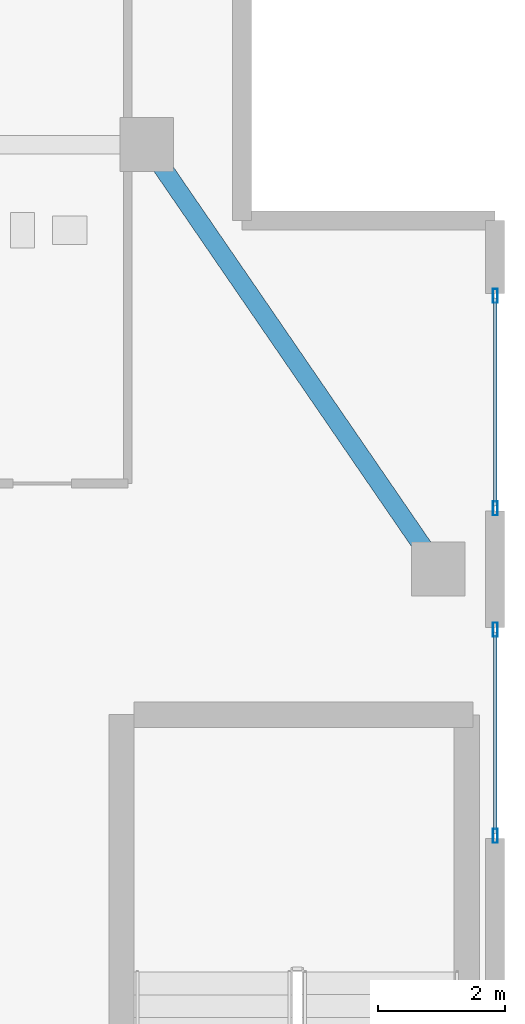
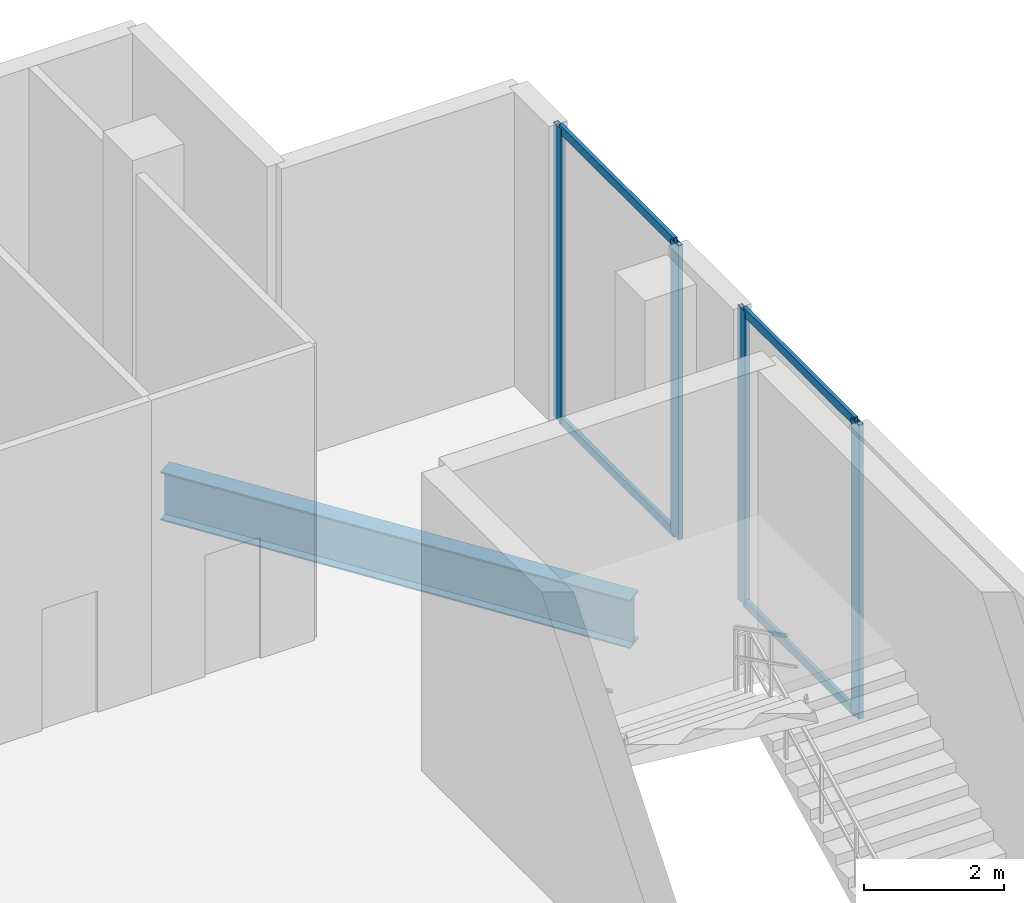
# One storey, part 21 of 30: 8 members, 1 beam, 2 elements without a shape of their own.
"""IFC4 building model written with IfcOpenShell, lengths in metres."""

from ifc_helpers import new_model, si_unit, direction, frame, origin, origin_2d, place, context, subcontext, project, spatial, hollow_rectangle, i_section, extrude, material, layer, layer_set, material_profile, profile_set, type_object, element, aggregate, save


model = new_model("IFC4")

# Units and contexts
model_context = context("Model", 3, precision=1e-05, world=origin(), true_north=direction((0.0, 1.0)))
body_context = subcontext(model_context, "Body", "Model", "MODEL_VIEW")
ifc_project = project(units=[si_unit("LENGTHUNIT", "METRE"), si_unit("AREAUNIT", "SQUARE_METRE"), si_unit("VOLUMEUNIT", "CUBIC_METRE"), si_unit("PLANEANGLEUNIT", "RADIAN"), si_unit("MASSUNIT", "GRAM", prefix="KILO")], contexts=[model_context])

# Site, building, storey
site_placement = place(None, origin())
site = spatial("IfcSite", under=ifc_project, at=site_placement, CompositionType="ELEMENT")
building_placement = place(site_placement, origin())
building = spatial("IfcBuilding", under=site, at=building_placement, Name="Zuhayl Quay Hotel", CompositionType="ELEMENT")
storey_placement = place(building_placement, frame((0.0, 0.0, 6.0)))
storey = spatial("IfcBuildingStorey", under=building, at=storey_placement, Name="L01", CompositionType="ELEMENT", Elevation=6.0)

# Beam
ifc_material_1 = material(Name="Steel ASTM A992 Grade 50", Category="steel")
ifc_material_profile_1 = material_profile(ifc_material_1, i_section(OverallWidth=0.2919921875, OverallDepth=0.845947265625, WebThickness=0.015380859375, FlangeThickness=0.0244140625, at=origin_2d()), Name="W33X141")
ifc_profile_set_1 = profile_set([ifc_material_profile_1], Name="Steel ASTM A992 Grade 50")
beam_type = type_object("IfcBeamType", Name="BM_PG3_W33X141", PredefinedType="BEAM", material=ifc_profile_set_1)
beam_placement = place(storey_placement, frame((34.90771484375, 15.7802734375, -0.673095703125), z_axis=(-0.566026455068, 0.824387076659, 0.0), x_axis=(-0.824387076659, -0.566026455068, 0.0)))
element("IfcBeam", 1, at=beam_placement, inside=storey, type_object=beam_type, Name="L01 Floor Beam PG_E_L01_3", PredefinedType="BEAM", context=body_context, shape_type="SweptSolid", body=[
    extrude(i_section(OverallWidth=0.2919921875, OverallDepth=0.845947265625, WebThickness=0.015380859375, FlangeThickness=0.0244140625, at=origin_2d()), origin(), (0.0, 0.0, 1.0), 7.447265625),
])

# Curtain wall, members
ifc_material_2 = material(Name="Anodised Aluminium 6063-T6", Category="aluminium")
ifc_layer = layer(ifc_material_2, 0.199951171875, Name="Anodised Aluminium 6063-T6", Category="aluminium")
ifc_layer_set = layer_set([ifc_layer], Name="Anodised Aluminium 6063-T6")
curtain_wall_type = type_object("IfcCurtainWallType", Name="CW_SYS_POD", PredefinedType="USERDEFINED", material=ifc_layer_set)
curtain_wall_1_placement = place(storey_placement, origin())
curtain_wall_1 = element("IfcCurtainWall", 2, at=curtain_wall_1_placement, inside=storey, type_object=curtain_wall_type, Name="L01 Curtain Wall ENV_L01_E08_CW1", ObjectType="UNITISED CURTAIN WALL", PredefinedType="USERDEFINED")
ifc_material_3 = material(Name="Black-anodised aluminium 6063-T6", Category="aluminium")
ifc_material_profile_2 = material_profile(ifc_material_3, hollow_rectangle(XDim=0.074951171875, YDim=0.219970703125, WallThickness=0.00390625, at=origin_2d()), Name="ALU220X75")
ifc_profile_set_2 = profile_set([ifc_material_profile_2], Name="Black-anodised aluminium 6063-T6")
member_type_1 = type_object("IfcMemberType", Name="MB_CW_MUL_220", PredefinedType="MULLION", material=ifc_profile_set_2)
member_1_placement = place(storey_placement, frame((36.0, 19.8125, 0.0), z_axis=(0.0, 0.0, 1.0), x_axis=(1.0, 0.0, 0.0)))
member_1 = element("IfcMember", 3, at=member_1_placement, type_object=member_type_1, Name="CW-POD mullion 1", PredefinedType="MULLION", context=body_context, shape_type="SweptSolid", body=[
    extrude(hollow_rectangle(XDim=0.074951171875, YDim=0.219970703125, WallThickness=0.00390625, at=origin_2d()), origin(), (0.0, 0.0, 1.0), 5.139892578125),
])
member_2_placement = place(storey_placement, frame((36.0, 16.45751953125, 0.0), z_axis=(0.0, 0.0, 1.0), x_axis=(1.0, 0.0, 0.0)))
member_2 = element("IfcMember", 4, at=member_2_placement, type_object=member_type_1, Name="CW-POD mullion 2", PredefinedType="MULLION", context=body_context, shape_type="SweptSolid", body=[
    extrude(hollow_rectangle(XDim=0.074951171875, YDim=0.219970703125, WallThickness=0.00390625, at=origin_2d()), origin(), (0.0, 0.0, 1.0), 5.139892578125),
])

curtain_wall_2_placement = place(storey_placement, origin())
curtain_wall_2 = element("IfcCurtainWall", 5, at=curtain_wall_2_placement, inside=storey, type_object=curtain_wall_type, Name="L01 Curtain Wall ENV_L01_E08_CW2", ObjectType="UNITISED CURTAIN WALL", PredefinedType="USERDEFINED")
member_3_placement = place(storey_placement, frame((36.0, 14.54248046875, 0.0), z_axis=(0.0, 0.0, 1.0), x_axis=(1.0, 0.0, 0.0)))
member_3 = element("IfcMember", 6, at=member_3_placement, type_object=member_type_1, Name="CW-POD mullion 1", PredefinedType="MULLION", context=body_context, shape_type="SweptSolid", body=[
    extrude(hollow_rectangle(XDim=0.074951171875, YDim=0.219970703125, WallThickness=0.00390625, at=origin_2d()), origin(), (0.0, 0.0, 1.0), 5.139892578125),
])
member_4_placement = place(storey_placement, frame((36.0, 11.28759765625, 0.0), z_axis=(0.0, 0.0, 1.0), x_axis=(1.0, 0.0, 0.0)))
member_4 = element("IfcMember", 7, at=member_4_placement, type_object=member_type_1, Name="CW-POD mullion 2", PredefinedType="MULLION", context=body_context, shape_type="SweptSolid", body=[
    extrude(hollow_rectangle(XDim=0.074951171875, YDim=0.219970703125, WallThickness=0.00390625, at=origin_2d()), origin(), (0.0, 0.0, 1.0), 5.139892578125),
])

# Member
ifc_material_profile_3 = material_profile(ifc_material_3, hollow_rectangle(XDim=0.06005859375, YDim=0.14990234375, WallThickness=0.00341796875, at=origin_2d()), Name="ALU150X60")
ifc_profile_set_3 = profile_set([ifc_material_profile_3], Name="Black-anodised aluminium 6063-T6")
member_type_2 = type_object("IfcMemberType", Name="MB_CW_TRN_150", PredefinedType="USERDEFINED", material=ifc_profile_set_3)
member_5_placement = place(storey_placement, frame((36.0, 19.77490234375, 0.030029296875), z_axis=(0.0, -1.0, 0.0), x_axis=(1.0, 0.0, 0.0)))
member_5 = element("IfcMember", 8, at=member_5_placement, type_object=member_type_2, Name="CW-POD transom 1.1", ObjectType="TRANSOM", PredefinedType="USERDEFINED", context=body_context, shape_type="SweptSolid", body=[
    extrude(hollow_rectangle(XDim=0.06005859375, YDim=0.14990234375, WallThickness=0.00341796875, at=origin_2d()), origin(), (0.0, 0.0, 1.0), 3.27978515625),
])

member_6_placement = place(storey_placement, frame((36.0, 19.77490234375, 5.110107421875), z_axis=(0.0, -1.0, 0.0), x_axis=(1.0, 0.0, 0.0)))
member_6 = element("IfcMember", 9, at=member_6_placement, type_object=member_type_2, Name="CW-POD transom 1.2", ObjectType="TRANSOM", PredefinedType="USERDEFINED", context=body_context, shape_type="SweptSolid", body=[
    extrude(hollow_rectangle(XDim=0.06005859375, YDim=0.14990234375, WallThickness=0.00341796875, at=origin_2d()), origin(), (0.0, 0.0, 1.0), 3.27978515625),
])

aggregate(curtain_wall_1, [member_1, member_2, member_5, member_6])

member_7_placement = place(storey_placement, frame((36.0, 14.5048828125, 0.030029296875), z_axis=(0.0, -1.0, 0.0), x_axis=(1.0, 0.0, 0.0)))
member_7 = element("IfcMember", 10, at=member_7_placement, type_object=member_type_2, Name="CW-POD transom 1.1", ObjectType="TRANSOM", PredefinedType="USERDEFINED", context=body_context, shape_type="SweptSolid", body=[
    extrude(hollow_rectangle(XDim=0.06005859375, YDim=0.14990234375, WallThickness=0.00341796875, at=origin_2d()), origin(), (0.0, 0.0, 1.0), 3.179931640625),
])

member_8_placement = place(storey_placement, frame((36.0, 14.5048828125, 5.110107421875), z_axis=(0.0, -1.0, 0.0), x_axis=(1.0, 0.0, 0.0)))
member_8 = element("IfcMember", 11, at=member_8_placement, type_object=member_type_2, Name="CW-POD transom 1.2", ObjectType="TRANSOM", PredefinedType="USERDEFINED", context=body_context, shape_type="SweptSolid", body=[
    extrude(hollow_rectangle(XDim=0.06005859375, YDim=0.14990234375, WallThickness=0.00341796875, at=origin_2d()), origin(), (0.0, 0.0, 1.0), 3.179931640625),
])

aggregate(curtain_wall_2, [member_3, member_4, member_7, member_8])

save(model, "model.ifc")
